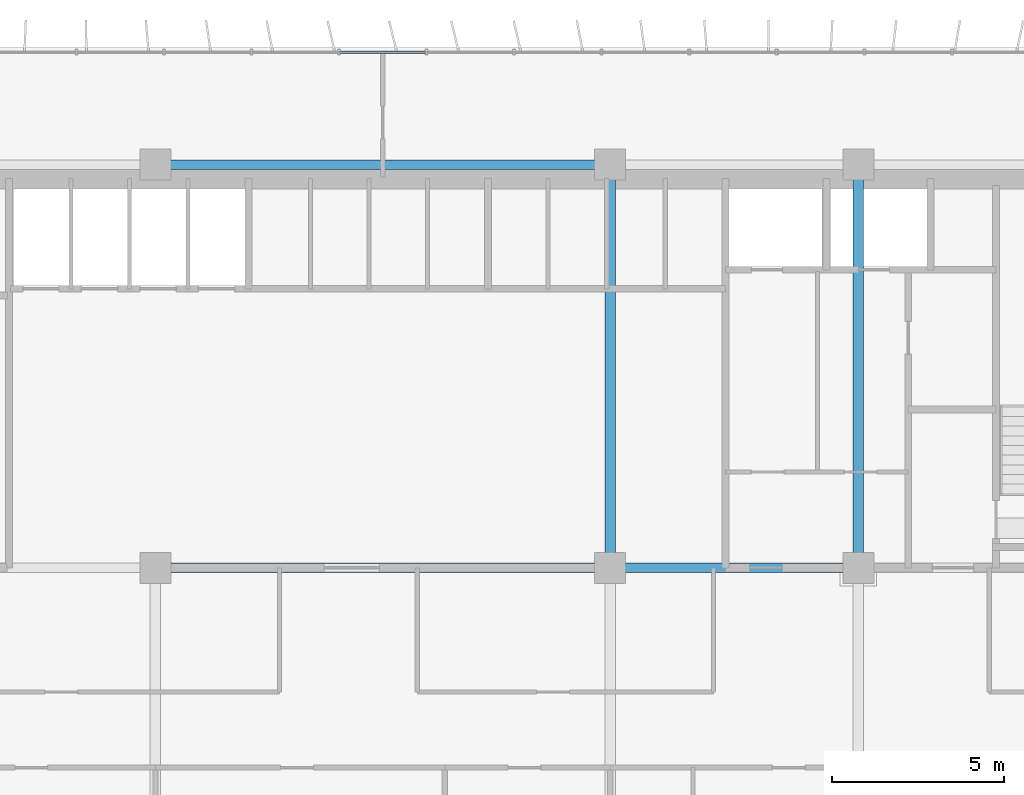
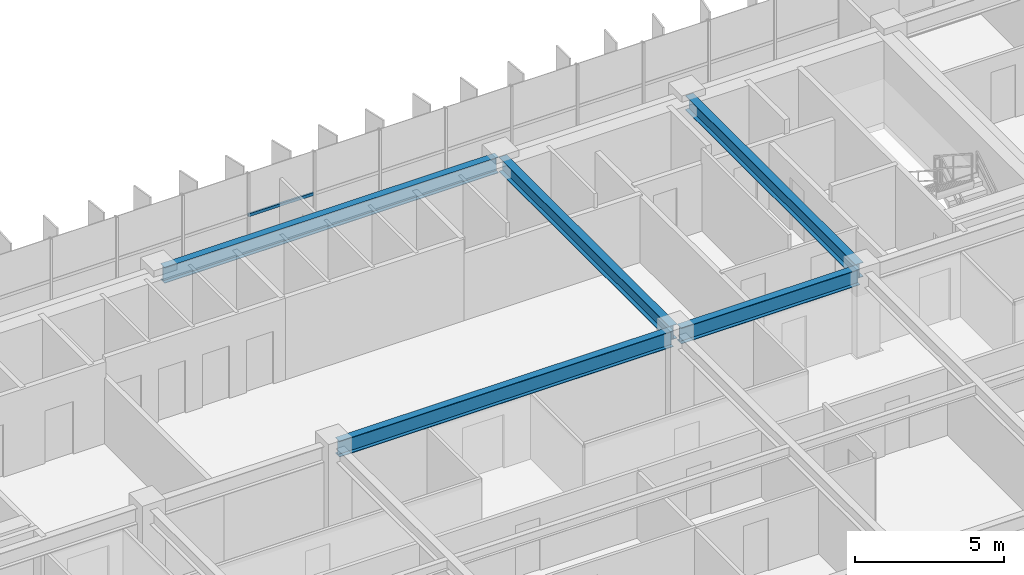
# One storey, part 9 of 22: 5 beams, 1 member, 1 element without a shape of its own.
"""IFC4 building model written with IfcOpenShell, lengths in metres."""

from ifc_helpers import new_model, si_unit, direction, frame, origin, origin_2d, place, context, subcontext, project, spatial, hollow_rectangle, i_section, extrude, source, transform, mapped, material, material_profile, profile_set, type_object, element, aggregate, save


model = new_model("IFC4")

# Units and contexts
model_context = context("Model", 3, precision=1e-05, world=origin(), true_north=direction((0.0, 1.0)))
body_context = subcontext(model_context, "Body", "Model", "MODEL_VIEW")
ifc_project = project(units=[si_unit("LENGTHUNIT", "METRE"), si_unit("AREAUNIT", "SQUARE_METRE"), si_unit("VOLUMEUNIT", "CUBIC_METRE"), si_unit("PLANEANGLEUNIT", "RADIAN"), si_unit("MASSUNIT", "GRAM", prefix="KILO")], contexts=[model_context])

# Site, building, storey
site_placement = place(None, origin())
site = spatial("IfcSite", under=ifc_project, at=site_placement, CompositionType="ELEMENT")
building_placement = place(site_placement, origin())
building = spatial("IfcBuilding", under=site, at=building_placement, Name="Trelvane Seafront Commons", CompositionType="ELEMENT")
storey_placement = place(building_placement, frame((0.0, 0.0, 45.10009765625)))
storey = spatial("IfcBuildingStorey", under=building, at=storey_placement, Name="L11", CompositionType="ELEMENT", Elevation=45.10009765625)

# Beams
ifc_material_1 = material(Name="Steel SM355 (S355)", Category="steel")
ifc_material_profile_1 = material_profile(ifc_material_1, i_section(OverallWidth=0.280029296875, OverallDepth=0.64990234375, WebThickness=0.012939453125, FlangeThickness=0.02197265625, at=origin_2d()), Name="H-650x280x13x22")
ifc_profile_set_1 = profile_set([ifc_material_profile_1], Name="Steel SM355 (S355)")
beam_type_1 = type_object("IfcBeamType", Name="STR-BM-H650", PredefinedType="BEAM", material=ifc_profile_set_1)
shared_shape_1 = source(origin(), body_context, "Body", "SweptSolid", [
    extrude(i_section(OverallWidth=0.280029296875, OverallDepth=0.64990234375, WebThickness=0.012939453125, FlangeThickness=0.02197265625, at=origin_2d()), origin(), (0.0, 0.0, 1.0), 12.89990234375),
])
for number, where, z_axis, x_axis, name in (
    (1, (30.75, 33.39990234375, 3.014892578125), (1.0, 0.0, 0.0), (0.0, 1.0, 0.0), "L11 Primary Girder G-23"),
    (2, (30.75, 45.10009765625, 3.014892578125), (1.0, 0.0, 0.0), (0.0, 1.0, 0.0), "L11 Primary Girder G-32"),
):
    element("IfcBeam", number, at=place(storey_placement, frame(where, z_axis=z_axis, x_axis=x_axis)), inside=storey, type_object=beam_type_1, Name=name, PredefinedType="BEAM", context=body_context, shape_type="MappedRepresentation", body=[
        mapped(shared_shape_1, transform((0.0, 0.0, 0.0), x_axis=(1.0, 0.0, 0.0), y_axis=(0.0, 1.0, 0.0), z_axis=(0.0, 0.0, 1.0), scale=1.0)),
    ])
shared_shape_2 = source(origin(), body_context, "Body", "SweptSolid", [
    extrude(i_section(OverallWidth=0.280029296875, OverallDepth=0.64990234375, WebThickness=0.012939453125, FlangeThickness=0.02197265625, at=origin_2d()), origin(), (0.0, 0.0, 1.0), 6.900146484375),
])
beam_placement = place(storey_placement, frame((43.949951171875, 33.39990234375, 3.014892578125), z_axis=(1.0, 0.0, 0.0), x_axis=(0.0, 1.0, 0.0)))
element("IfcBeam", 3, at=beam_placement, inside=storey, type_object=beam_type_1, Name="L11 Primary Girder G-24", PredefinedType="BEAM", context=body_context, shape_type="MappedRepresentation", body=[
    mapped(shared_shape_2, transform((0.0, 0.0, 0.0), x_axis=(1.0, 0.0, 0.0), y_axis=(0.0, 1.0, 0.0), z_axis=(0.0, 0.0, 1.0), scale=1.0)),
])
ifc_material_profile_2 = material_profile(ifc_material_1, i_section(OverallWidth=0.300048828125, OverallDepth=0.587890625, WebThickness=0.011962890625, FlangeThickness=0.02001953125, at=origin_2d()), Name="H-588x300x12x20")
ifc_profile_set_2 = profile_set([ifc_material_profile_2], Name="Steel SM355 (S355)")
beam_type_2 = type_object("IfcBeamType", Name="STR-BM-H588", PredefinedType="BEAM", material=ifc_profile_set_2)
shared_shape_3 = source(origin(), body_context, "Body", "SweptSolid", [
    extrude(i_section(OverallWidth=0.300048828125, OverallDepth=0.587890625, WebThickness=0.011962890625, FlangeThickness=0.02001953125, at=origin_2d()), origin(), (0.0, 0.0, 1.0), 11.39990234375),
])
for number, where, z_axis, x_axis, name in (
    (4, (43.800048828125, 33.550048828125, 3.0458984375), (0.0, 1.0, 0.0), (-1.0, 0.0, 0.0), "L11 Primary Girder G-54"),
    (5, (51.0, 33.550048828125, 3.0458984375), (0.0, 1.0, 0.0), (-1.0, 0.0, 0.0), "L11 Primary Girder G-57"),
):
    element("IfcBeam", number, at=place(storey_placement, frame(where, z_axis=z_axis, x_axis=x_axis)), inside=storey, type_object=beam_type_2, Name=name, PredefinedType="BEAM", context=body_context, shape_type="MappedRepresentation", body=[
        mapped(shared_shape_3, transform((0.0, 0.0, 0.0), x_axis=(1.0, 0.0, 0.0), y_axis=(0.0, 1.0, 0.0), z_axis=(0.0, 0.0, 1.0), scale=1.0)),
    ])

# Curtain wall, member
ifc_material_2 = material(Name="Anodised pale-silver aluminium", Category="aluminium")
curtain_wall_type = type_object("IfcCurtainWallType", Name="ARCH-CW2-LOWTOWER", PredefinedType="NOTDEFINED", material=ifc_material_2)
curtain_wall_placement = place(storey_placement, origin())
curtain_wall = element("IfcCurtainWall", 6, at=curtain_wall_placement, inside=storey, type_object=curtain_wall_type, Name="CW-L11-0035", PredefinedType="NOTDEFINED")
ifc_material_profile_3 = material_profile(ifc_material_2, hollow_rectangle(XDim=0.070068359375, YDim=0.1201171875, WallThickness=0.00390625, at=origin_2d()), Name="TRAN-70x120x4")
ifc_profile_set_3 = profile_set([ifc_material_profile_3], Name="Anodised pale-silver aluminium")
member_type = type_object("IfcMemberType", Name="ARCH-CW-TRAN-120", PredefinedType="USERDEFINED", material=ifc_profile_set_3)
shared_shape_4 = source(origin(), body_context, "Body", "SweptSolid", [
    extrude(hollow_rectangle(XDim=0.070068359375, YDim=0.1201171875, WallThickness=0.00390625, at=origin_2d()), origin(), (0.0, 0.0, 1.0), 2.51708984375),
])
member_placement = place(storey_placement, frame((35.94140625, 48.3701171875, 1.602783203125), z_axis=(1.0, 0.0, 0.0), x_axis=(0.0, 1.0, 0.0)))
member = element("IfcMember", 7, at=member_placement, type_object=member_type, Name="CW-L11-0035-T08", ObjectType="TRANSOM", PredefinedType="USERDEFINED", context=body_context, shape_type="MappedRepresentation", body=[
    mapped(shared_shape_4, transform((0.0, 0.0, 0.0), x_axis=(1.0, 0.0, 0.0), y_axis=(0.0, 1.0, 0.0), z_axis=(0.0, 0.0, 1.0), scale=1.0)),
])
aggregate(curtain_wall, [member])

save(model, "model.ifc")
